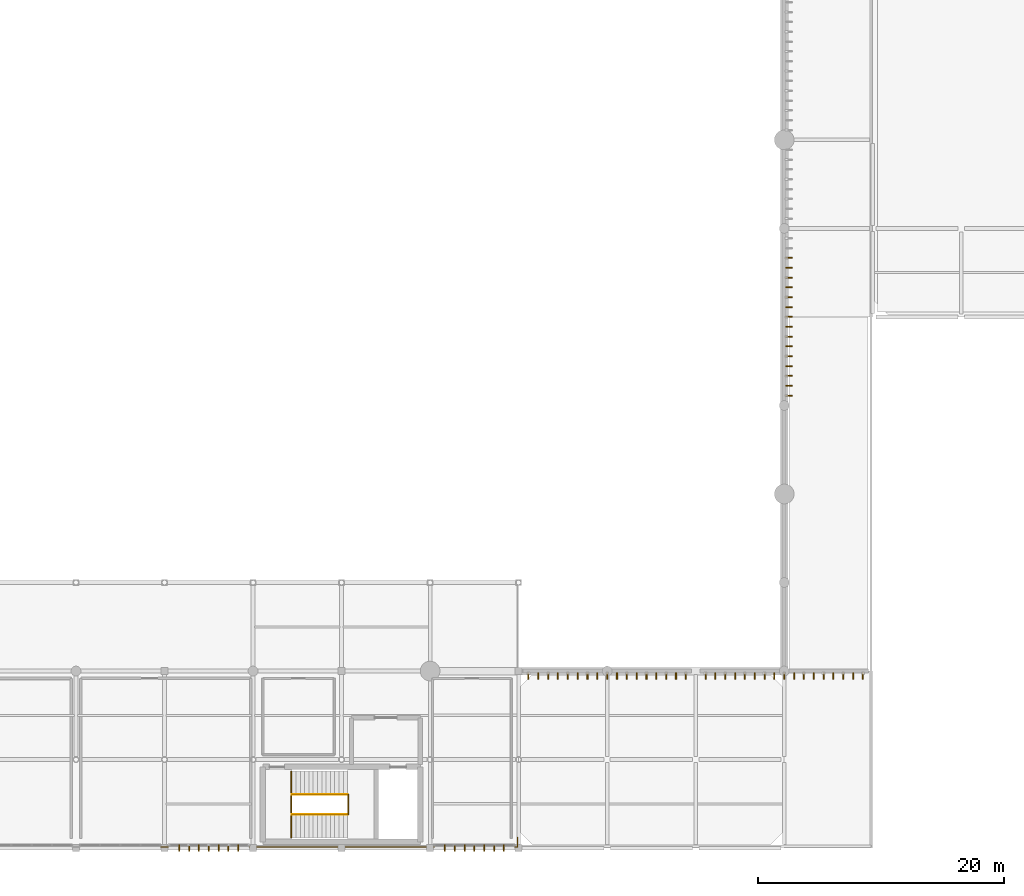
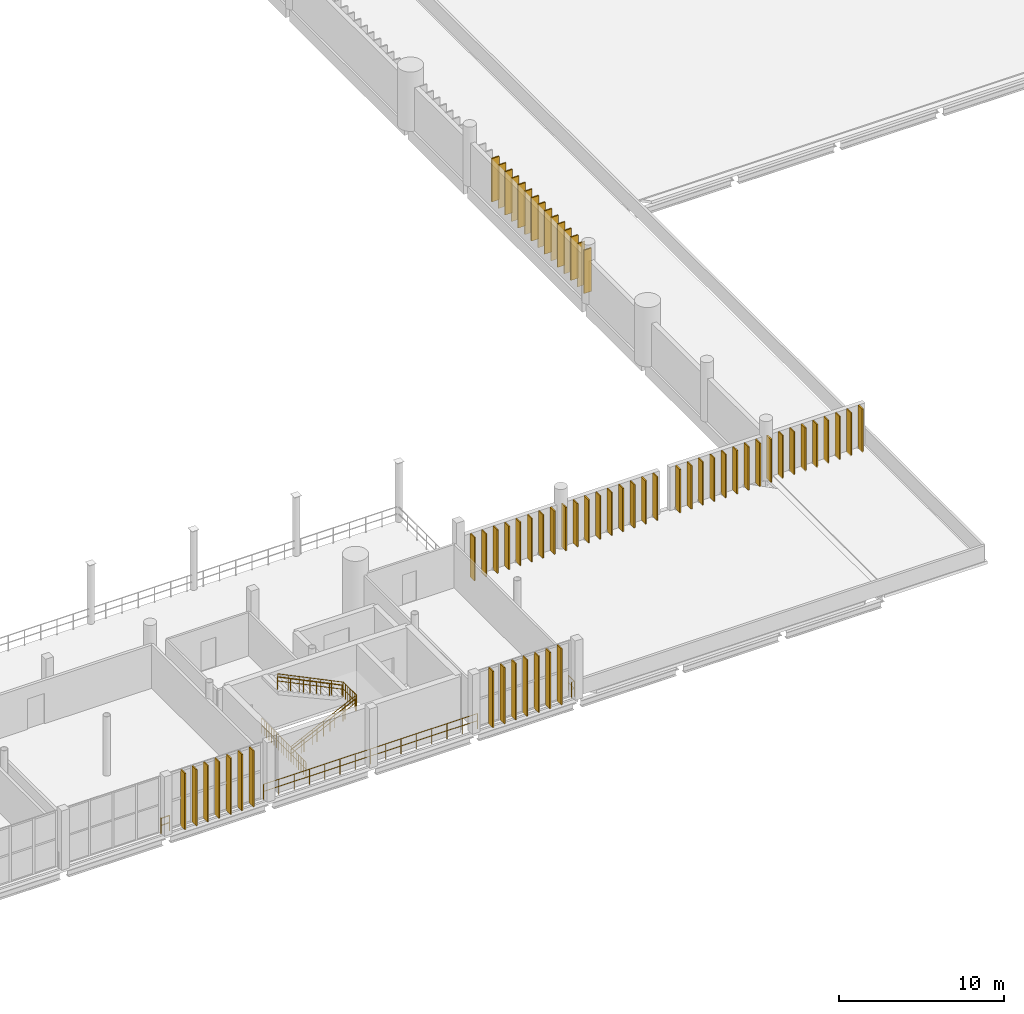
# One storey, part 70 of 81: 63 coverings, 26 shading devices, 9 railings.
"""IFC4 building model written with IfcOpenShell, lengths in metres."""

import ifcopenshell
import ifcopenshell.guid

model = None  # the IFC model being written
_history = None  # IfcOwnerHistory: only IFC2X3 demands one
_inside = {}  # id of a spatial element -> (the spatial element, [elements in it])
_under = {}  # id of a project, library or spatial element -> (it, [spatial elements below it])
_declared = {}  # id of a project -> (the project, [libraries it declares])
_typed = {}  # id of a type object -> (the type object, [elements of that type])
_made_of = {}  # id of a material, layer set ... -> (it, [elements and type objects made of it])


def new_model(schema):
    """Start an empty IFC model of exactly this schema.

    Asked for "IFC4X3", IfcOpenShell would pick the latest addendum, in which some entities
    have other attributes; the version numbers below select the first issue.
    IFC2X3 requires an IfcOwnerHistory on every rooted entity: one is made here for all.
    """
    global model, _history
    if schema == "IFC4X3":
        model = ifcopenshell.file(schema_version=(4, 3, 0, 0))
    else:
        model = ifcopenshell.file(schema=schema)
    _inside.clear()
    _under.clear()
    _declared.clear()
    _typed.clear()
    _made_of.clear()
    _history = None
    if model.schema == "IFC2X3":
        org = make("IfcOrganization", Name="unknown")
        user = make(
            "IfcPersonAndOrganization",
            ThePerson=make("IfcPerson", FamilyName="unknown"),
            TheOrganization=org,
        )
        app = make(
            "IfcApplication",
            ApplicationDeveloper=org,
            Version="unknown",
            ApplicationFullName="unknown",
            ApplicationIdentifier="unknown",
        )
        _history = make(
            "IfcOwnerHistory",
            OwningUser=user,
            OwningApplication=app,
            ChangeAction="ADDED",
            CreationDate=0,
        )
    return model


def make(cls, **values):
    """One entity of the class cls with the attributes given. An attribute that is None is left unset."""
    return model.create_entity(
        cls, **{name: value for name, value in values.items() if value is not None}
    )


def rooted(cls, **values):
    """An entity with a GlobalId (a new one), such as an element, a storey or a relation."""
    return make(cls, GlobalId=ifcopenshell.guid.new(), OwnerHistory=_history, **values)


def si_unit(unit_type, name, prefix=None):
    """IfcSIUnit, for example si_unit("LENGTHUNIT", "METRE", prefix="MILLI")."""
    return make("IfcSIUnit", UnitType=unit_type, Prefix=prefix, Name=name)


def assignment(units):
    """IfcUnitAssignment: the units of a project."""
    return None if units is None else make("IfcUnitAssignment", Units=units)


def point(xyz):
    """IfcCartesianPoint."""
    return None if xyz is None else make("IfcCartesianPoint", Coordinates=xyz)


def direction(xyz):
    """IfcDirection."""
    return None if xyz is None else make("IfcDirection", DirectionRatios=xyz)


def frame(location, z_axis=None, x_axis=None):
    """IfcAxis2Placement3D, a coordinate frame: its origin and axes. An axis left out is left unset."""
    return make(
        "IfcAxis2Placement3D",
        Location=point(location),
        Axis=direction(z_axis),
        RefDirection=direction(x_axis),
    )


def frame_2d(location, x_axis=None):
    """IfcAxis2Placement2D, a coordinate frame in the plane: its origin and x axis."""
    return make(
        "IfcAxis2Placement2D", Location=point(location), RefDirection=direction(x_axis)
    )


def origin():
    """The frame at (0, 0, 0) with its axes left unset."""
    return frame((0.0, 0.0, 0.0))


def origin_2d():
    """The frame at (0, 0) in the plane with its x axis left unset."""
    return frame_2d((0.0, 0.0))


def place(relative_to, where):
    """IfcLocalPlacement: puts the frame where relative to a parent placement (None: the world)."""
    return make(
        "IfcLocalPlacement", PlacementRelTo=relative_to, RelativePlacement=where
    )


def context(
    kind, dimensions, precision=None, world=None, true_north=None, identifier=None
):
    """IfcGeometricRepresentationContext, for example the 3D "Model" context."""
    return make(
        "IfcGeometricRepresentationContext",
        ContextIdentifier=identifier,
        ContextType=kind,
        CoordinateSpaceDimension=dimensions,
        Precision=precision,
        WorldCoordinateSystem=world,
        TrueNorth=true_north,
    )


def subcontext(parent, identifier, kind, view, scale=None):
    """IfcGeometricRepresentationSubContext, for example "Body" below "Model"."""
    return make(
        "IfcGeometricRepresentationSubContext",
        ContextIdentifier=identifier,
        ContextType=kind,
        ParentContext=parent,
        TargetScale=scale,
        TargetView=view,
    )


def project(units=None, contexts=None):
    """IfcProject with its units and contexts."""
    return rooted(
        "IfcProject",
        Name="project",
        RepresentationContexts=contexts,
        UnitsInContext=assignment(units),
    )


def spatial(cls, under=None, at=None, **own):
    """A site, building, storey or space (cls), placed at a placement, below another one or the project."""
    s = rooted(cls, ObjectPlacement=at, **own)
    if under is not None:
        _under.setdefault(under.id(), (under, []))[1].append(s)
    return s


def profile(cls, at=None, kind="AREA", **sizes):
    """A parametric profile (cls). Its sizes go by their IFC names, for example OverallWidth=200.0."""
    return make(cls, ProfileType=kind, Position=at, **sizes)


def rectangle(**sizes):
    """IfcRectangleProfileDef."""
    return profile("IfcRectangleProfileDef", **sizes)


def circle(**sizes):
    """IfcCircleProfileDef."""
    return profile("IfcCircleProfileDef", **sizes)


def extrude(swept, where, along, depth):
    """IfcExtrudedAreaSolid: the profile swept, set in the frame where, extruded along a direction by depth."""
    return make(
        "IfcExtrudedAreaSolid",
        SweptArea=swept,
        Position=where,
        ExtrudedDirection=direction(along),
        Depth=depth,
    )


def shape(context_of_items, identifier, shape_type, items):
    """IfcShapeRepresentation: the items that make up one representation, for example the "Body"."""
    return make(
        "IfcShapeRepresentation",
        ContextOfItems=context_of_items,
        RepresentationIdentifier=identifier,
        RepresentationType=shape_type,
        Items=items,
    )


def material(Name=None, Category=None):
    """IfcMaterial."""
    return make("IfcMaterial", Name=Name, Category=Category)


def layer(
    of_material, thickness, ventilated=None, Name=None, Category=None, Priority=None
):
    """IfcMaterialLayer: one layer of a wall or slab, of a material (None: an air gap)."""
    return make(
        "IfcMaterialLayer",
        Material=of_material,
        LayerThickness=thickness,
        IsVentilated=ventilated,
        Name=Name,
        Category=Category,
        Priority=Priority,
    )


def layer_set(layers, Name=None):
    """IfcMaterialLayerSet."""
    return make("IfcMaterialLayerSet", MaterialLayers=layers, LayerSetName=Name)


def made_of(thing, what):
    """Note that an element or type object is made of a material, layer set ...; save() writes the relation."""
    if what is not None:
        _made_of.setdefault(what.id(), (what, []))[1].append(thing)
    return thing


def type_object(cls, material=None, **own):
    """A type object (cls), such as IfcWallType, which elements share."""
    return made_of(rooted(cls, **own), material)


def element(
    cls,
    number,
    at=None,
    inside=None,
    cuts=None,
    type_object=None,
    material=None,
    context=None,
    identifier="Body",
    shape_type=None,
    held_by="IfcProductDefinitionShape",
    body=None,
    shapes=None,
    **own,
):
    """One element of the class cls, such as IfcWall. Its Tag is "e" and its number.

    at: its placement. inside: the storey or other place that contains it. cuts: it is an
    opening in that element (IfcRelVoidsElement). A single representation is given by context,
    identifier, shape_type and body (its items); several are given by shapes. held_by: the class
    of the entity that holds the representations. save() writes the other relations.
    """
    e = rooted(cls, Tag="e%d" % number, ObjectPlacement=at, **own)
    if body is not None:
        shapes = [shape(context, identifier, shape_type, body)]
    if shapes is not None:
        e.Representation = make(held_by, Representations=shapes)
    if inside is not None:
        _inside.setdefault(inside.id(), (inside, []))[1].append(e)
    if cuts is not None:
        rooted(
            "IfcRelVoidsElement", RelatingBuildingElement=cuts, RelatedOpeningElement=e
        )
    if type_object is not None:
        _typed.setdefault(type_object.id(), (type_object, []))[1].append(e)
    return made_of(e, material)


def aggregate(whole, parts):
    """IfcRelAggregates: a whole, such as a stair, and the parts it consists of."""
    return rooted("IfcRelAggregates", RelatingObject=whole, RelatedObjects=parts)


def save(model, path):
    """Write the relations noted so far, then the file.

    IfcRelAggregates (storeys below a building ...), IfcRelContainedInSpatialStructure (elements
    in a storey), IfcRelDefinesByType, IfcRelAssociatesMaterial and IfcRelDeclares: one each for
    every whole, place, type object, material and project.
    """
    for whole, parts in _under.values():
        aggregate(whole, parts)
    for where, things in _inside.values():
        rooted(
            "IfcRelContainedInSpatialStructure",
            RelatedElements=things,
            RelatingStructure=where,
        )
    for kind, things in _typed.values():
        rooted("IfcRelDefinesByType", RelatedObjects=things, RelatingType=kind)
    for what, things in _made_of.values():
        rooted("IfcRelAssociatesMaterial", RelatedObjects=things, RelatingMaterial=what)
    for by, libraries in _declared.values():
        rooted("IfcRelDeclares", RelatingContext=by, RelatedDefinitions=libraries)
    model.write(path)


model = new_model("IFC4")

# Units and contexts
model_context = context("Model", 3, precision=1e-05, world=origin(), true_north=direction((0.0, 1.0)))
body_context = subcontext(model_context, "Body", "Model", "MODEL_VIEW")
ifc_project = project(units=[si_unit("LENGTHUNIT", "METRE"), si_unit("AREAUNIT", "SQUARE_METRE"), si_unit("VOLUMEUNIT", "CUBIC_METRE"), si_unit("PLANEANGLEUNIT", "RADIAN"), si_unit("MASSUNIT", "GRAM", prefix="KILO")], contexts=[model_context])

# Site, building, storey
site_placement = place(None, origin())
site = spatial("IfcSite", under=ifc_project, at=site_placement, CompositionType="ELEMENT")
building_placement = place(site_placement, origin())
building = spatial("IfcBuilding", under=site, at=building_placement, Name="Qandorah Velis Arena", CompositionType="ELEMENT")
storey_placement = place(building_placement, frame((0.0, 0.0, 18.60009765625)))
storey = spatial("IfcBuildingStorey", under=building, at=storey_placement, Name="L04", CompositionType="ELEMENT", Elevation=18.60009765625)

# Coverings
ifc_material_1 = material(Name="Champagne-bronze anodized aluminium 6063-T6", Category="aluminium")
ifc_layer = layer(ifc_material_1, 0.0849609375)
ifc_layer_set = layer_set([ifc_layer], Name="Champagne-bronze anodized aluminium 6063-T6")
covering_type = type_object("IfcCoveringType", Name="ARC-COV-FIN520", PredefinedType="CLADDING", material=ifc_layer_set)
for number, where, z_axis, x_axis, name in (
    (1, (115.60205078125, 36.800048828125, 0.0), (0.0, 0.0, 1.0), (1.0, 0.0, 0.0), "Vertical champagne-bronze solar fin blade DRM-2-03-L04-001"),
    (2, (115.60205078125, 37.60009765625, 0.0), (0.0, 0.0, 1.0), (1.0, 0.0, 0.0), "Vertical champagne-bronze solar fin blade DRM-2-03-L04-002"),
    (3, (115.60205078125, 38.39990234375, 0.0), (0.0, 0.0, 1.0), (1.0, 0.0, 0.0), "Vertical champagne-bronze solar fin blade DRM-2-03-L04-003"),
    (4, (115.60205078125, 39.199951171875, 0.0), (0.0, 0.0, 1.0), (1.0, 0.0, 0.0), "Vertical champagne-bronze solar fin blade DRM-2-03-L04-004"),
    (5, (115.60205078125, 40.0, 0.0), (0.0, 0.0, 1.0), (1.0, 0.0, 0.0), "Vertical champagne-bronze solar fin blade DRM-2-03-L04-005"),
    (6, (115.60205078125, 40.800048828125, 0.0), (0.0, 0.0, 1.0), (1.0, 0.0, 0.0), "Vertical champagne-bronze solar fin blade DRM-2-03-L04-006"),
    (7, (115.60205078125, 41.60009765625, 0.0), (0.0, 0.0, 1.0), (1.0, 0.0, 0.0), "Vertical champagne-bronze solar fin blade DRM-2-03-L04-007"),
    (8, (115.60205078125, 42.39990234375, 0.0), (0.0, 0.0, 1.0), (1.0, 0.0, 0.0), "Vertical champagne-bronze solar fin blade DRM-2-03-L04-008"),
    (9, (115.60205078125, 43.199951171875, 0.0), (0.0, 0.0, 1.0), (1.0, 0.0, 0.0), "Vertical champagne-bronze solar fin blade DRM-2-03-L04-009"),
    (10, (115.60205078125, 44.0, 0.0), (0.0, 0.0, 1.0), (1.0, 0.0, 0.0), "Vertical champagne-bronze solar fin blade DRM-2-03-L04-010"),
    (11, (115.60205078125, 44.800048828125, 0.0), (0.0, 0.0, 1.0), (1.0, 0.0, 0.0), "Vertical champagne-bronze solar fin blade DRM-2-03-L04-011"),
    (12, (115.60205078125, 45.60009765625, 0.0), (0.0, 0.0, 1.0), (1.0, 0.0, 0.0), "Vertical champagne-bronze solar fin blade DRM-2-03-L04-012"),
    (13, (115.60205078125, 46.39990234375, 0.0), (0.0, 0.0, 1.0), (1.0, 0.0, 0.0), "Vertical champagne-bronze solar fin blade DRM-2-03-L04-013"),
    (14, (115.60205078125, 47.199951171875, 0.0), (0.0, 0.0, 1.0), (1.0, 0.0, 0.0), "Vertical champagne-bronze solar fin blade DRM-2-03-L04-014"),
    (15, (115.60205078125, 48.0, 0.0), (0.0, 0.0, 1.0), (1.0, 0.0, 0.0), "Vertical champagne-bronze solar fin blade DRM-2-03-L04-015"),
):
    element("IfcCovering", number, at=place(storey_placement, frame(where, z_axis=z_axis, x_axis=x_axis)), inside=storey, type_object=covering_type, Name=name, PredefinedType="CLADDING", context=body_context, shape_type="SweptSolid", body=[
        extrude(rectangle(XDim=0.52001953125, YDim=0.0849609375, at=origin_2d()), origin(), (0.0, 0.0, 1.0), 3.2099609375),
    ])
for number, where, z_axis, x_axis, name in (
    (16, (94.39990234375, 13.998046875, 0.0), (0.0, 0.0, 1.0), (1.0, 0.0, 0.0), "Vertical champagne-bronze solar fin blade DRM-3-01-L04-001"),
    (17, (95.199951171875, 13.998046875, 0.0), (0.0, 0.0, 1.0), (1.0, 0.0, 0.0), "Vertical champagne-bronze solar fin blade DRM-3-01-L04-002"),
    (18, (96.0, 13.998046875, 0.0), (0.0, 0.0, 1.0), (1.0, 0.0, 0.0), "Vertical champagne-bronze solar fin blade DRM-3-01-L04-003"),
    (19, (96.800048828125, 13.998046875, 0.0), (0.0, 0.0, 1.0), (1.0, 0.0, 0.0), "Vertical champagne-bronze solar fin blade DRM-3-01-L04-004"),
    (20, (97.60009765625, 13.998046875, 0.0), (0.0, 0.0, 1.0), (1.0, 0.0, 0.0), "Vertical champagne-bronze solar fin blade DRM-3-01-L04-005"),
    (21, (98.39990234375, 13.998046875, 0.0), (0.0, 0.0, 1.0), (1.0, 0.0, 0.0), "Vertical champagne-bronze solar fin blade DRM-3-01-L04-006"),
    (22, (99.199951171875, 13.998046875, 0.0), (0.0, 0.0, 1.0), (1.0, 0.0, 0.0), "Vertical champagne-bronze solar fin blade DRM-3-01-L04-007"),
    (23, (100.0, 13.998046875, 0.0), (0.0, 0.0, 1.0), (1.0, 0.0, 0.0), "Vertical champagne-bronze solar fin blade DRM-3-01-L04-008"),
    (24, (100.800048828125, 13.998046875, 0.0), (0.0, 0.0, 1.0), (1.0, 0.0, 0.0), "Vertical champagne-bronze solar fin blade DRM-3-01-L04-009"),
    (25, (101.60009765625, 13.998046875, 0.0), (0.0, 0.0, 1.0), (1.0, 0.0, 0.0), "Vertical champagne-bronze solar fin blade DRM-3-01-L04-010"),
    (26, (102.39990234375, 13.998046875, 0.0), (0.0, 0.0, 1.0), (1.0, 0.0, 0.0), "Vertical champagne-bronze solar fin blade DRM-3-01-L04-011"),
    (27, (103.199951171875, 13.998046875, 0.0), (0.0, 0.0, 1.0), (1.0, 0.0, 0.0), "Vertical champagne-bronze solar fin blade DRM-3-01-L04-012"),
    (28, (104.0, 13.998046875, 0.0), (0.0, 0.0, 1.0), (1.0, 0.0, 0.0), "Vertical champagne-bronze solar fin blade DRM-3-01-L04-013"),
    (29, (104.800048828125, 13.998046875, 0.0), (0.0, 0.0, 1.0), (1.0, 0.0, 0.0), "Vertical champagne-bronze solar fin blade DRM-3-01-L04-014"),
    (30, (105.60009765625, 13.998046875, 0.0), (0.0, 0.0, 1.0), (1.0, 0.0, 0.0), "Vertical champagne-bronze solar fin blade DRM-3-01-L04-015"),
    (31, (106.39990234375, 13.998046875, 0.0), (0.0, 0.0, 1.0), (1.0, 0.0, 0.0), "Vertical champagne-bronze solar fin blade DRM-3-01-L04-016"),
    (32, (107.199951171875, 13.998046875, 0.0), (0.0, 0.0, 1.0), (1.0, 0.0, 0.0), "Vertical champagne-bronze solar fin blade DRM-3-01-L04-017"),
    (33, (108.800048828125, 13.998046875, 0.0), (0.0, 0.0, 1.0), (1.0, 0.0, 0.0), "Vertical champagne-bronze solar fin blade DRM-3-02-L04-001"),
    (34, (109.60009765625, 13.998046875, 0.0), (0.0, 0.0, 1.0), (1.0, 0.0, 0.0), "Vertical champagne-bronze solar fin blade DRM-3-02-L04-002"),
    (35, (110.39990234375, 13.998046875, 0.0), (0.0, 0.0, 1.0), (1.0, 0.0, 0.0), "Vertical champagne-bronze solar fin blade DRM-3-02-L04-003"),
    (36, (111.199951171875, 13.998046875, 0.0), (0.0, 0.0, 1.0), (1.0, 0.0, 0.0), "Vertical champagne-bronze solar fin blade DRM-3-02-L04-004"),
    (37, (112.0, 13.998046875, 0.0), (0.0, 0.0, 1.0), (1.0, 0.0, 0.0), "Vertical champagne-bronze solar fin blade DRM-3-02-L04-005"),
    (38, (112.800048828125, 13.998046875, 0.0), (0.0, 0.0, 1.0), (1.0, 0.0, 0.0), "Vertical champagne-bronze solar fin blade DRM-3-02-L04-006"),
    (39, (113.60009765625, 13.998046875, 0.0), (0.0, 0.0, 1.0), (1.0, 0.0, 0.0), "Vertical champagne-bronze solar fin blade DRM-3-02-L04-007"),
    (40, (114.39990234375, 13.998046875, 0.0), (0.0, 0.0, 1.0), (1.0, 0.0, 0.0), "Vertical champagne-bronze solar fin blade DRM-3-02-L04-008"),
    (41, (115.199951171875, 13.998046875, 0.0), (0.0, 0.0, 1.0), (1.0, 0.0, 0.0), "Vertical champagne-bronze solar fin blade DRM-3-02-L04-009"),
    (42, (116.0, 13.998046875, 0.0), (0.0, 0.0, 1.0), (1.0, 0.0, 0.0), "Vertical champagne-bronze solar fin blade DRM-3-02-L04-010"),
    (43, (116.800048828125, 13.998046875, 0.0), (0.0, 0.0, 1.0), (1.0, 0.0, 0.0), "Vertical champagne-bronze solar fin blade DRM-3-02-L04-011"),
    (44, (117.60009765625, 13.998046875, 0.0), (0.0, 0.0, 1.0), (1.0, 0.0, 0.0), "Vertical champagne-bronze solar fin blade DRM-3-02-L04-012"),
    (45, (118.39990234375, 13.998046875, 0.0), (0.0, 0.0, 1.0), (1.0, 0.0, 0.0), "Vertical champagne-bronze solar fin blade DRM-3-02-L04-013"),
    (46, (119.199951171875, 13.998046875, 0.0), (0.0, 0.0, 1.0), (1.0, 0.0, 0.0), "Vertical champagne-bronze solar fin blade DRM-3-02-L04-014"),
    (47, (120.0, 13.998046875, 0.0), (0.0, 0.0, 1.0), (1.0, 0.0, 0.0), "Vertical champagne-bronze solar fin blade DRM-3-02-L04-015"),
    (48, (120.800048828125, 13.998046875, 0.0), (0.0, 0.0, 1.0), (1.0, 0.0, 0.0), "Vertical champagne-bronze solar fin blade DRM-3-02-L04-016"),
    (49, (121.60009765625, 13.998046875, 0.0), (0.0, 0.0, 1.0), (1.0, 0.0, 0.0), "Vertical champagne-bronze solar fin blade DRM-3-02-L04-017"),
):
    element("IfcCovering", number, at=place(storey_placement, frame(where, z_axis=z_axis, x_axis=x_axis)), inside=storey, type_object=covering_type, Name=name, PredefinedType="CLADDING", context=body_context, shape_type="SweptSolid", body=[
        extrude(rectangle(XDim=0.0849609375, YDim=0.52001953125, at=origin_2d()), origin(), (0.0, 0.0, 1.0), 3.2099609375),
    ])
for number, where, z_axis, x_axis, name in (
    (50, (66.0, -0.001953125, -0.010009765625), (0.0, 0.0, 1.0), (1.0, 0.0, 0.0), "Vertical champagne-bronze solar fin blade WNG-S-L04-09-001"),
    (51, (66.800048828125, -0.001953125, -0.010009765625), (0.0, 0.0, 1.0), (1.0, 0.0, 0.0), "Vertical champagne-bronze solar fin blade WNG-S-L04-09-002"),
    (52, (67.60009765625, -0.001953125, -0.010009765625), (0.0, 0.0, 1.0), (1.0, 0.0, 0.0), "Vertical champagne-bronze solar fin blade WNG-S-L04-09-003"),
    (53, (68.39990234375, -0.001953125, -0.010009765625), (0.0, 0.0, 1.0), (1.0, 0.0, 0.0), "Vertical champagne-bronze solar fin blade WNG-S-L04-09-004"),
    (54, (69.199951171875, -0.001953125, -0.010009765625), (0.0, 0.0, 1.0), (1.0, 0.0, 0.0), "Vertical champagne-bronze solar fin blade WNG-S-L04-09-005"),
    (55, (70.0, -0.001953125, -0.010009765625), (0.0, 0.0, 1.0), (1.0, 0.0, 0.0), "Vertical champagne-bronze solar fin blade WNG-S-L04-09-006"),
    (56, (70.800048828125, -0.001953125, -0.010009765625), (0.0, 0.0, 1.0), (1.0, 0.0, 0.0), "Vertical champagne-bronze solar fin blade WNG-S-L04-09-007"),
    (57, (87.60009765625, -0.001953125, -0.010009765625), (0.0, 0.0, 1.0), (1.0, 0.0, 0.0), "Vertical champagne-bronze solar fin blade WNG-S-L04-12-001"),
    (58, (88.39990234375, -0.001953125, -0.010009765625), (0.0, 0.0, 1.0), (1.0, 0.0, 0.0), "Vertical champagne-bronze solar fin blade WNG-S-L04-12-002"),
    (59, (89.199951171875, -0.001953125, -0.010009765625), (0.0, 0.0, 1.0), (1.0, 0.0, 0.0), "Vertical champagne-bronze solar fin blade WNG-S-L04-12-003"),
    (60, (90.0, -0.001953125, -0.010009765625), (0.0, 0.0, 1.0), (1.0, 0.0, 0.0), "Vertical champagne-bronze solar fin blade WNG-S-L04-12-004"),
    (61, (90.800048828125, -0.001953125, -0.010009765625), (0.0, 0.0, 1.0), (1.0, 0.0, 0.0), "Vertical champagne-bronze solar fin blade WNG-S-L04-12-005"),
    (62, (91.60009765625, -0.001953125, -0.010009765625), (0.0, 0.0, 1.0), (1.0, 0.0, 0.0), "Vertical champagne-bronze solar fin blade WNG-S-L04-12-006"),
    (63, (92.39990234375, -0.001953125, -0.010009765625), (0.0, 0.0, 1.0), (1.0, 0.0, 0.0), "Vertical champagne-bronze solar fin blade WNG-S-L04-12-007"),
):
    element("IfcCovering", number, at=place(storey_placement, frame(where, z_axis=z_axis, x_axis=x_axis)), inside=storey, type_object=covering_type, Name=name, PredefinedType="CLADDING", context=body_context, shape_type="SweptSolid", body=[
        extrude(rectangle(XDim=0.0849609375, YDim=0.52001953125, at=origin_2d()), origin(), (0.0, 0.0, 1.0), 4.169921875),
    ])

# Railings
ifc_material_2 = material(Name="Stainless steel 316", Category="steel")
railing_type_1 = type_object("IfcRailingType", Name="ARC-RL-GRD1150", PredefinedType="GUARDRAIL", material=ifc_material_2)
railing_1_placement = place(storey_placement, frame((75.110107421875, 0.860107421875, 0.0)))
element("IfcRailing", 64, at=railing_1_placement, inside=storey, type_object=railing_type_1, Name="Stair ST2 landing well-slot guardrail L04", PredefinedType="GUARDRAIL", context=body_context, shape_type="SweptSolid", body=[
    extrude(circle(Radius=0.02392578125, at=origin_2d()), frame((0.0, 0.0, 1.1259765625), z_axis=(0.0, 1.0, 0.0), x_axis=(-1.0, 0.0, 0.0)), (0.0, 0.0, 1.0), 5.3798828125),
    extrude(circle(Radius=0.02392578125, at=origin_2d()), frame((0.0, 0.0, 0.597900390625), z_axis=(0.0, 1.0, 0.0), x_axis=(-1.0, 0.0, 0.0)), (0.0, 0.0, 1.0), 5.3798828125),
    extrude(circle(Radius=0.02099609375, at=origin_2d()), origin(), (0.0, 0.0, 1.0), 1.101806640625),
    extrude(circle(Radius=0.02099609375, at=origin_2d()), frame((0.0, 0.298828125, 0.0)), (0.0, 0.0, 1.0), 1.101806640625),
    extrude(circle(Radius=0.02099609375, at=origin_2d()), frame((0.0, 0.59765625, 0.0)), (0.0, 0.0, 1.0), 1.101806640625),
    extrude(circle(Radius=0.02099609375, at=origin_2d()), frame((0.0, 0.896728515625, 0.0)), (0.0, 0.0, 1.0), 1.101806640625),
    extrude(circle(Radius=0.02099609375, at=origin_2d()), frame((0.0, 1.195556640625, 0.0)), (0.0, 0.0, 1.0), 1.101806640625),
    extrude(circle(Radius=0.02099609375, at=origin_2d()), frame((0.0, 1.494384765625, 0.0)), (0.0, 0.0, 1.0), 1.101806640625),
    extrude(circle(Radius=0.02099609375, at=origin_2d()), frame((0.0, 1.793212890625, 0.0)), (0.0, 0.0, 1.0), 1.101806640625),
    extrude(circle(Radius=0.02099609375, at=origin_2d()), frame((0.0, 2.09228515625, 0.0)), (0.0, 0.0, 1.0), 1.101806640625),
    extrude(circle(Radius=0.02099609375, at=origin_2d()), frame((0.0, 2.39111328125, 0.0)), (0.0, 0.0, 1.0), 1.101806640625),
    extrude(circle(Radius=0.02099609375, at=origin_2d()), frame((0.0, 2.68994140625, 0.0)), (0.0, 0.0, 1.0), 1.101806640625),
    extrude(circle(Radius=0.02099609375, at=origin_2d()), frame((0.0, 2.98876953125, 0.0)), (0.0, 0.0, 1.0), 1.101806640625),
    extrude(circle(Radius=0.02099609375, at=origin_2d()), frame((0.0, 3.28759765625, 0.0)), (0.0, 0.0, 1.0), 1.101806640625),
    extrude(circle(Radius=0.02099609375, at=origin_2d()), frame((0.0, 3.586669921875, 0.0)), (0.0, 0.0, 1.0), 1.101806640625),
    extrude(circle(Radius=0.02099609375, at=origin_2d()), frame((0.0, 3.885498046875, 0.0)), (0.0, 0.0, 1.0), 1.101806640625),
    extrude(circle(Radius=0.02099609375, at=origin_2d()), frame((0.0, 4.184326171875, 0.0)), (0.0, 0.0, 1.0), 1.101806640625),
    extrude(circle(Radius=0.02099609375, at=origin_2d()), frame((0.0, 4.483154296875, 0.0)), (0.0, 0.0, 1.0), 1.101806640625),
    extrude(circle(Radius=0.02099609375, at=origin_2d()), frame((0.0, 4.7822265625, 0.0)), (0.0, 0.0, 1.0), 1.101806640625),
    extrude(circle(Radius=0.02099609375, at=origin_2d()), frame((0.0, 5.0810546875, 0.0)), (0.0, 0.0, 1.0), 1.101806640625),
    extrude(circle(Radius=0.02099609375, at=origin_2d()), frame((0.0, 5.3798828125, 0.0)), (0.0, 0.0, 1.0), 1.101806640625),
])
railing_2_placement = place(storey_placement, frame((79.74609375, 2.739990234375, 2.199951171875)))
element("IfcRailing", 65, at=railing_2_placement, inside=storey, type_object=railing_type_1, Name="Stair ST2 well guardrail (L04)", PredefinedType="GUARDRAIL", context=body_context, shape_type="SweptSolid", body=[
    extrude(circle(Radius=0.02392578125, at=origin_2d()), frame((0.0, 0.0, 1.1259765625), z_axis=(0.0, 1.0, 0.0), x_axis=(-1.0, 0.0, 0.0)), (0.0, 0.0, 1.0), 1.6201171875),
    extrude(circle(Radius=0.02392578125, at=origin_2d()), frame((0.0, 0.0, 0.597900390625), z_axis=(0.0, 1.0, 0.0), x_axis=(-1.0, 0.0, 0.0)), (0.0, 0.0, 1.0), 1.6201171875),
    extrude(circle(Radius=0.02099609375, at=origin_2d()), origin(), (0.0, 0.0, 1.0), 1.101806640625),
    extrude(circle(Radius=0.02099609375, at=origin_2d()), frame((0.0, 0.27001953125, 0.0)), (0.0, 0.0, 1.0), 1.101806640625),
    extrude(circle(Radius=0.02099609375, at=origin_2d()), frame((0.0, 0.5400390625, 0.0)), (0.0, 0.0, 1.0), 1.101806640625),
    extrude(circle(Radius=0.02099609375, at=origin_2d()), frame((0.0, 0.81005859375, 0.0)), (0.0, 0.0, 1.0), 1.101806640625),
    extrude(circle(Radius=0.02099609375, at=origin_2d()), frame((0.0, 1.080078125, 0.0)), (0.0, 0.0, 1.0), 1.101806640625),
    extrude(circle(Radius=0.02099609375, at=origin_2d()), frame((0.0, 1.35009765625, 0.0)), (0.0, 0.0, 1.0), 1.101806640625),
    extrude(circle(Radius=0.02099609375, at=origin_2d()), frame((0.0, 1.6201171875, 0.0)), (0.0, 0.0, 1.0), 1.101806640625),
])
railing_3_placement = place(storey_placement, frame((75.14990234375, 2.72998046875, 0.0)))
element("IfcRailing", 66, at=railing_3_placement, inside=storey, type_object=railing_type_1, Name="Stair ST2 inner flight 1 guardrail (L04)", PredefinedType="GUARDRAIL", context=body_context, shape_type="SweptSolid", body=[
    extrude(circle(Radius=0.02392578125, at=origin_2d()), frame((0.0, 0.0, 1.1259765625), z_axis=(0.899766287272, 0.0, 0.436372121346), x_axis=(0.0, 1.0, 0.0)), (0.0, 0.0, 1.0), 5.04150390625),
    extrude(circle(Radius=0.02392578125, at=origin_2d()), frame((0.0, 0.0, 0.597900390625), z_axis=(0.899766287272, 0.0, 0.436372121346), x_axis=(0.0, 1.0, 0.0)), (0.0, 0.0, 1.0), 5.04150390625),
    extrude(circle(Radius=0.02099609375, at=origin_2d()), origin(), (0.0, 0.0, 1.0), 1.101806640625),
    extrude(circle(Radius=0.02099609375, at=origin_2d()), frame((0.756103515625, 0.0, 0.36669921875)), (0.0, 0.0, 1.0), 1.101806640625),
    extrude(circle(Radius=0.02099609375, at=origin_2d()), frame((1.511962890625, 0.0, 0.7333984375)), (0.0, 0.0, 1.0), 1.101806640625),
    extrude(circle(Radius=0.02099609375, at=origin_2d()), frame((2.26806640625, 0.0, 1.10009765625)), (0.0, 0.0, 1.0), 1.101806640625),
    extrude(circle(Radius=0.02099609375, at=origin_2d()), frame((3.024169921875, 0.0, 1.466552734375)), (0.0, 0.0, 1.0), 1.101806640625),
    extrude(circle(Radius=0.02099609375, at=origin_2d()), frame((3.780029296875, 0.0, 1.833251953125)), (0.0, 0.0, 1.0), 1.101806640625),
    extrude(circle(Radius=0.02099609375, at=origin_2d()), frame((4.5361328125, 0.0, 2.199951171875)), (0.0, 0.0, 1.0), 1.101806640625),
])
railing_4_placement = place(storey_placement, frame((79.68603515625, 4.3701171875, 2.199951171875)))
element("IfcRailing", 67, at=railing_4_placement, inside=storey, type_object=railing_type_1, Name="Stair ST2 inner flight 2 guardrail (L04)", PredefinedType="GUARDRAIL", context=body_context, shape_type="SweptSolid", body=[
    extrude(circle(Radius=0.02392578125, at=origin_2d()), frame((0.0, 0.0, 1.1259765625), z_axis=(-0.899766287272, 0.0, 0.436372121346), x_axis=(0.0, -1.0, 0.0)), (0.0, 0.0, 1.0), 5.04150390625),
    extrude(circle(Radius=0.02392578125, at=origin_2d()), frame((0.0, 0.0, 0.597900390625), z_axis=(-0.899766287272, 0.0, 0.436372121346), x_axis=(0.0, -1.0, 0.0)), (0.0, 0.0, 1.0), 5.04150390625),
    extrude(circle(Radius=0.02099609375, at=origin_2d()), origin(), (0.0, 0.0, 1.0), 1.101806640625),
    extrude(circle(Radius=0.02099609375, at=origin_2d()), frame((-0.756103515625, 0.0, 0.36669921875)), (0.0, 0.0, 1.0), 1.101806640625),
    extrude(circle(Radius=0.02099609375, at=origin_2d()), frame((-1.511962890625, 0.0, 0.7333984375)), (0.0, 0.0, 1.0), 1.101806640625),
    extrude(circle(Radius=0.02099609375, at=origin_2d()), frame((-2.26806640625, 0.0, 1.10009765625)), (0.0, 0.0, 1.0), 1.101806640625),
    extrude(circle(Radius=0.02099609375, at=origin_2d()), frame((-3.024169921875, 0.0, 1.466552734375)), (0.0, 0.0, 1.0), 1.101806640625),
    extrude(circle(Radius=0.02099609375, at=origin_2d()), frame((-3.780029296875, 0.0, 1.833251953125)), (0.0, 0.0, 1.0), 1.101806640625),
    extrude(circle(Radius=0.02099609375, at=origin_2d()), frame((-4.5361328125, 0.0, 2.199951171875)), (0.0, 0.0, 1.0), 1.101806640625),
])
railing_5_placement = place(storey_placement, frame((93.5, 0.863525390625, 0.0)))
element("IfcRailing", 68, at=railing_5_placement, inside=storey, type_object=railing_type_1, Name="Slab edge safety guardrail L04-225", PredefinedType="GUARDRAIL", context=body_context, shape_type="SweptSolid", body=[
    extrude(circle(Radius=0.02392578125, at=origin_2d()), frame((0.0, 0.0, 1.1259765625), z_axis=(0.0, -1.0, 0.0), x_axis=(1.0, 0.0, 0.0)), (0.0, 0.0, 1.0), 0.763427734375),
    extrude(circle(Radius=0.02392578125, at=origin_2d()), frame((0.0, 0.0, 0.597900390625), z_axis=(0.0, -1.0, 0.0), x_axis=(1.0, 0.0, 0.0)), (0.0, 0.0, 1.0), 0.763427734375),
    extrude(circle(Radius=0.02392578125, at=origin_2d()), frame((0.0, -0.763427734375, 1.1259765625), z_axis=(-1.0, 0.0, 0.0), x_axis=(0.0, -1.0, 0.0)), (0.0, 0.0, 1.0), 0.199951171875),
    extrude(circle(Radius=0.02392578125, at=origin_2d()), frame((0.0, -0.763427734375, 0.597900390625), z_axis=(-1.0, 0.0, 0.0), x_axis=(0.0, -1.0, 0.0)), (0.0, 0.0, 1.0), 0.199951171875),
    extrude(circle(Radius=0.02099609375, at=origin_2d()), origin(), (0.0, 0.0, 1.0), 1.101806640625),
    extrude(circle(Radius=0.02099609375, at=origin_2d()), frame((0.0, -0.763427734375, 0.0)), (0.0, 0.0, 1.0), 1.101806640625),
    extrude(circle(Radius=0.02099609375, at=origin_2d()), frame((-0.199951171875, -0.763427734375, 0.0)), (0.0, 0.0, 1.0), 1.101806640625),
])
railing_6_placement = place(storey_placement, frame((86.699951171875, 0.10009765625, 0.0)))
element("IfcRailing", 69, at=railing_6_placement, inside=storey, type_object=railing_type_1, Name="Slab edge safety guardrail L04-226", PredefinedType="GUARDRAIL", context=body_context, shape_type="SweptSolid", body=[
    extrude(circle(Radius=0.02392578125, at=origin_2d()), frame((0.0, 0.0, 1.1259765625), z_axis=(-1.0, 0.0, 0.0), x_axis=(0.0, -1.0, 0.0)), (0.0, 0.0, 1.0), 15.0),
    extrude(circle(Radius=0.02392578125, at=origin_2d()), frame((0.0, 0.0, 0.597900390625), z_axis=(-1.0, 0.0, 0.0), x_axis=(0.0, -1.0, 0.0)), (0.0, 0.0, 1.0), 15.0),
    extrude(circle(Radius=0.02099609375, at=origin_2d()), origin(), (0.0, 0.0, 1.0), 1.101806640625),
    extrude(circle(Radius=0.02099609375, at=origin_2d()), frame((-1.071533203125, 0.0, 0.0)), (0.0, 0.0, 1.0), 1.101806640625),
    extrude(circle(Radius=0.02099609375, at=origin_2d()), frame((-2.142822265625, 0.0, 0.0)), (0.0, 0.0, 1.0), 1.101806640625),
    extrude(circle(Radius=0.02099609375, at=origin_2d()), frame((-3.21435546875, 0.0, 0.0)), (0.0, 0.0, 1.0), 1.101806640625),
    extrude(circle(Radius=0.02099609375, at=origin_2d()), frame((-4.28564453125, 0.0, 0.0)), (0.0, 0.0, 1.0), 1.101806640625),
    extrude(circle(Radius=0.02099609375, at=origin_2d()), frame((-5.357177734375, 0.0, 0.0)), (0.0, 0.0, 1.0), 1.101806640625),
    extrude(circle(Radius=0.02099609375, at=origin_2d()), frame((-6.428466796875, 0.0, 0.0)), (0.0, 0.0, 1.0), 1.101806640625),
    extrude(circle(Radius=0.02099609375, at=origin_2d()), frame((-7.5, 0.0, 0.0)), (0.0, 0.0, 1.0), 1.101806640625),
    extrude(circle(Radius=0.02099609375, at=origin_2d()), frame((-8.571533203125, 0.0, 0.0)), (0.0, 0.0, 1.0), 1.101806640625),
    extrude(circle(Radius=0.02099609375, at=origin_2d()), frame((-9.642822265625, 0.0, 0.0)), (0.0, 0.0, 1.0), 1.101806640625),
    extrude(circle(Radius=0.02099609375, at=origin_2d()), frame((-10.71435546875, 0.0, 0.0)), (0.0, 0.0, 1.0), 1.101806640625),
    extrude(circle(Radius=0.02099609375, at=origin_2d()), frame((-11.78564453125, 0.0, 0.0)), (0.0, 0.0, 1.0), 1.101806640625),
    extrude(circle(Radius=0.02099609375, at=origin_2d()), frame((-12.857177734375, 0.0, 0.0)), (0.0, 0.0, 1.0), 1.101806640625),
    extrude(circle(Radius=0.02099609375, at=origin_2d()), frame((-13.928466796875, 0.0, 0.0)), (0.0, 0.0, 1.0), 1.101806640625),
    extrude(circle(Radius=0.02099609375, at=origin_2d()), frame((-15.0, 0.0, 0.0)), (0.0, 0.0, 1.0), 1.101806640625),
])
railing_7_placement = place(storey_placement, frame((65.10009765625, 0.10009765625, 0.0)))
element("IfcRailing", 70, at=railing_7_placement, inside=storey, type_object=railing_type_1, Name="Slab edge safety guardrail L04-227", PredefinedType="GUARDRAIL", context=body_context, shape_type="SweptSolid", body=[
    extrude(circle(Radius=0.02392578125, at=origin_2d()), frame((0.0, 0.0, 1.1259765625), z_axis=(-1.0, 0.0, 0.0), x_axis=(0.0, -1.0, 0.0)), (0.0, 0.0, 1.0), 0.60009765625),
    extrude(circle(Radius=0.02392578125, at=origin_2d()), frame((0.0, 0.0, 0.597900390625), z_axis=(-1.0, 0.0, 0.0), x_axis=(0.0, -1.0, 0.0)), (0.0, 0.0, 1.0), 0.60009765625),
    extrude(circle(Radius=0.02099609375, at=origin_2d()), origin(), (0.0, 0.0, 1.0), 1.101806640625),
    extrude(circle(Radius=0.02099609375, at=origin_2d()), frame((-0.60009765625, 0.0, 0.0)), (0.0, 0.0, 1.0), 1.101806640625),
])
railing_type_2 = type_object("IfcRailingType", Name="ARC-RL-HND920", PredefinedType="HANDRAIL", material=ifc_material_2)
railing_8_placement = place(storey_placement, frame((75.14990234375, 2.72998046875, 0.0)))
element("IfcRailing", 71, at=railing_8_placement, inside=storey, type_object=railing_type_2, Name="Stair ST2 inner handrail 1 (L04)", PredefinedType="HANDRAIL", context=body_context, shape_type="SweptSolid", body=[
    extrude(circle(Radius=0.02392578125, at=origin_2d()), frame((0.0, 0.0, 0.89599609375), z_axis=(0.899766287272, 0.0, 0.436372121346), x_axis=(0.0, 1.0, 0.0)), (0.0, 0.0, 1.0), 5.04150390625),
    extrude(circle(Radius=0.02099609375, at=origin_2d()), origin(), (0.0, 0.0, 1.0), 0.871826171875),
    extrude(circle(Radius=0.02099609375, at=origin_2d()), frame((0.9072265625, 0.0, 0.43994140625)), (0.0, 0.0, 1.0), 0.871826171875),
    extrude(circle(Radius=0.02099609375, at=origin_2d()), frame((1.814453125, 0.0, 0.8798828125)), (0.0, 0.0, 1.0), 0.871826171875),
    extrude(circle(Radius=0.02099609375, at=origin_2d()), frame((2.7216796875, 0.0, 1.320068359375)), (0.0, 0.0, 1.0), 0.871826171875),
    extrude(circle(Radius=0.02099609375, at=origin_2d()), frame((3.62890625, 0.0, 1.760009765625)), (0.0, 0.0, 1.0), 0.871826171875),
    extrude(circle(Radius=0.02099609375, at=origin_2d()), frame((4.5361328125, 0.0, 2.199951171875)), (0.0, 0.0, 1.0), 0.871826171875),
])
railing_9_placement = place(storey_placement, frame((79.68603515625, 4.3701171875, 2.199951171875)))
element("IfcRailing", 72, at=railing_9_placement, inside=storey, type_object=railing_type_2, Name="Stair ST2 inner handrail 2 (L04)", PredefinedType="HANDRAIL", context=body_context, shape_type="SweptSolid", body=[
    extrude(circle(Radius=0.02392578125, at=origin_2d()), frame((0.0, 0.0, 0.89599609375), z_axis=(-0.899766287272, 0.0, 0.436372121346), x_axis=(0.0, -1.0, 0.0)), (0.0, 0.0, 1.0), 5.04150390625),
    extrude(circle(Radius=0.02099609375, at=origin_2d()), origin(), (0.0, 0.0, 1.0), 0.871826171875),
    extrude(circle(Radius=0.02099609375, at=origin_2d()), frame((-0.9072265625, 0.0, 0.43994140625)), (0.0, 0.0, 1.0), 0.871826171875),
    extrude(circle(Radius=0.02099609375, at=origin_2d()), frame((-1.814453125, 0.0, 0.8798828125)), (0.0, 0.0, 1.0), 0.871826171875),
    extrude(circle(Radius=0.02099609375, at=origin_2d()), frame((-2.7216796875, 0.0, 1.320068359375)), (0.0, 0.0, 1.0), 0.871826171875),
    extrude(circle(Radius=0.02099609375, at=origin_2d()), frame((-3.62890625, 0.0, 1.760009765625)), (0.0, 0.0, 1.0), 0.871826171875),
    extrude(circle(Radius=0.02099609375, at=origin_2d()), frame((-4.5361328125, 0.0, 2.199951171875)), (0.0, 0.0, 1.0), 0.871826171875),
])

# Shading devices
shading_device_type = type_object("IfcShadingDeviceType", Name="ARC-SHD-FIN520", PredefinedType="USERDEFINED", material=ifc_material_1)
for number, where, z_axis, x_axis, name in (
    (73, (115.60205078125, 36.800048828125, 0.0), (0.0, 0.0, 1.0), (1.0, 0.0, 0.0), "Vertical aerofoil solar fin SF-0001"),
    (74, (115.60205078125, 38.39990234375, 0.0), (0.0, 0.0, 1.0), (1.0, 0.0, 0.0), "Vertical aerofoil solar fin SF-0002"),
    (75, (115.60205078125, 40.0, 0.0), (0.0, 0.0, 1.0), (1.0, 0.0, 0.0), "Vertical aerofoil solar fin SF-0003"),
    (76, (115.60205078125, 41.60009765625, 0.0), (0.0, 0.0, 1.0), (1.0, 0.0, 0.0), "Vertical aerofoil solar fin SF-0004"),
    (77, (115.60205078125, 43.199951171875, 0.0), (0.0, 0.0, 1.0), (1.0, 0.0, 0.0), "Vertical aerofoil solar fin SF-0005"),
    (78, (115.60205078125, 44.800048828125, 0.0), (0.0, 0.0, 1.0), (1.0, 0.0, 0.0), "Vertical aerofoil solar fin SF-0006"),
    (79, (115.60205078125, 46.39990234375, 0.0), (0.0, 0.0, 1.0), (1.0, 0.0, 0.0), "Vertical aerofoil solar fin SF-0007"),
    (80, (115.60205078125, 48.0, 0.0), (0.0, 0.0, 1.0), (1.0, 0.0, 0.0), "Vertical aerofoil solar fin SF-0008"),
):
    element("IfcShadingDevice", number, at=place(storey_placement, frame(where, z_axis=z_axis, x_axis=x_axis)), inside=storey, type_object=shading_device_type, Name=name, ObjectType="SOLAR FIN", PredefinedType="USERDEFINED", context=body_context, shape_type="SweptSolid", body=[
        extrude(rectangle(XDim=0.52001953125, YDim=0.0849609375, at=origin_2d()), origin(), (0.0, 0.0, 1.0), 3.2099609375),
    ])
for number, where, z_axis, x_axis, name in (
    (81, (94.39990234375, 13.998046875, 0.0), (0.0, 0.0, 1.0), (1.0, 0.0, 0.0), "Vertical aerofoil solar fin SF-0099"),
    (82, (96.0, 13.998046875, 0.0), (0.0, 0.0, 1.0), (1.0, 0.0, 0.0), "Vertical aerofoil solar fin SF-0100"),
    (83, (97.60009765625, 13.998046875, 0.0), (0.0, 0.0, 1.0), (1.0, 0.0, 0.0), "Vertical aerofoil solar fin SF-0101"),
    (84, (99.199951171875, 13.998046875, 0.0), (0.0, 0.0, 1.0), (1.0, 0.0, 0.0), "Vertical aerofoil solar fin SF-0102"),
    (85, (100.800048828125, 13.998046875, 0.0), (0.0, 0.0, 1.0), (1.0, 0.0, 0.0), "Vertical aerofoil solar fin SF-0103"),
    (86, (102.39990234375, 13.998046875, 0.0), (0.0, 0.0, 1.0), (1.0, 0.0, 0.0), "Vertical aerofoil solar fin SF-0104"),
    (87, (104.0, 13.998046875, 0.0), (0.0, 0.0, 1.0), (1.0, 0.0, 0.0), "Vertical aerofoil solar fin SF-0105"),
    (88, (105.60009765625, 13.998046875, 0.0), (0.0, 0.0, 1.0), (1.0, 0.0, 0.0), "Vertical aerofoil solar fin SF-0106"),
    (89, (107.199951171875, 13.998046875, 0.0), (0.0, 0.0, 1.0), (1.0, 0.0, 0.0), "Vertical aerofoil solar fin SF-0107"),
    (90, (108.800048828125, 13.998046875, 0.0), (0.0, 0.0, 1.0), (1.0, 0.0, 0.0), "Vertical aerofoil solar fin SF-0117"),
    (91, (110.39990234375, 13.998046875, 0.0), (0.0, 0.0, 1.0), (1.0, 0.0, 0.0), "Vertical aerofoil solar fin SF-0118"),
    (92, (112.0, 13.998046875, 0.0), (0.0, 0.0, 1.0), (1.0, 0.0, 0.0), "Vertical aerofoil solar fin SF-0119"),
    (93, (113.60009765625, 13.998046875, 0.0), (0.0, 0.0, 1.0), (1.0, 0.0, 0.0), "Vertical aerofoil solar fin SF-0120"),
    (94, (115.199951171875, 13.998046875, 0.0), (0.0, 0.0, 1.0), (1.0, 0.0, 0.0), "Vertical aerofoil solar fin SF-0121"),
    (95, (116.800048828125, 13.998046875, 0.0), (0.0, 0.0, 1.0), (1.0, 0.0, 0.0), "Vertical aerofoil solar fin SF-0122"),
    (96, (118.39990234375, 13.998046875, 0.0), (0.0, 0.0, 1.0), (1.0, 0.0, 0.0), "Vertical aerofoil solar fin SF-0123"),
    (97, (120.0, 13.998046875, 0.0), (0.0, 0.0, 1.0), (1.0, 0.0, 0.0), "Vertical aerofoil solar fin SF-0124"),
    (98, (121.60009765625, 13.998046875, 0.0), (0.0, 0.0, 1.0), (1.0, 0.0, 0.0), "Vertical aerofoil solar fin SF-0125"),
):
    element("IfcShadingDevice", number, at=place(storey_placement, frame(where, z_axis=z_axis, x_axis=x_axis)), inside=storey, type_object=shading_device_type, Name=name, ObjectType="SOLAR FIN", PredefinedType="USERDEFINED", context=body_context, shape_type="SweptSolid", body=[
        extrude(rectangle(XDim=0.0849609375, YDim=0.52001953125, at=origin_2d()), origin(), (0.0, 0.0, 1.0), 3.2099609375),
    ])

save(model, "model.ifc")
